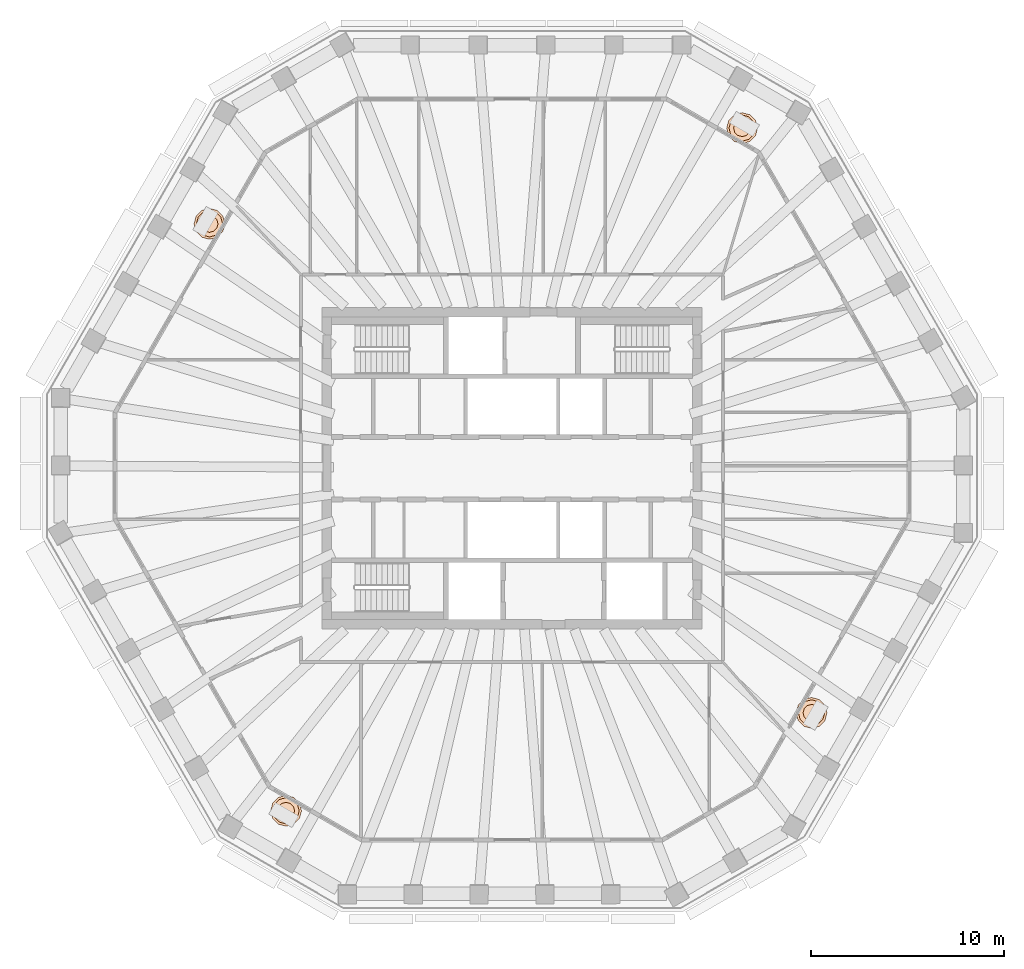
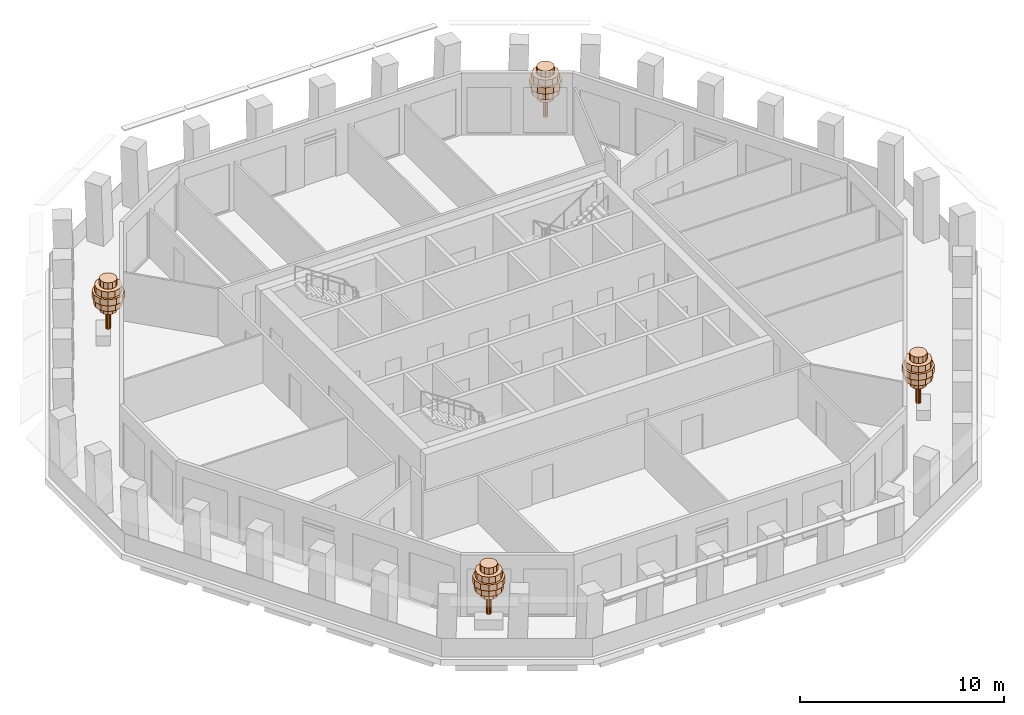
# One storey, part 12 of 12: 4 geographic elements.
"""IFC4 building model written with IfcOpenShell, lengths in metres."""

from ifc_helpers import new_model, si_unit, direction, frame, origin, place, context, subcontext, project, spatial, polyline, outline, extrude, material, type_object, element, save


model = new_model("IFC4")

# Units and contexts
model_context = context("Model", 3, precision=1e-05, world=origin(), true_north=direction((0.0, 1.0)))
body_context = subcontext(model_context, "Body", "Model", "MODEL_VIEW")
ifc_project = project(units=[si_unit("LENGTHUNIT", "METRE"), si_unit("AREAUNIT", "SQUARE_METRE"), si_unit("VOLUMEUNIT", "CUBIC_METRE"), si_unit("PLANEANGLEUNIT", "RADIAN"), si_unit("MASSUNIT", "GRAM", prefix="KILO")], contexts=[model_context])

# Site, building, storey
site_placement = place(None, origin())
site = spatial("IfcSite", under=ifc_project, at=site_placement, CompositionType="ELEMENT")
building_placement = place(site_placement, origin())
building = spatial("IfcBuilding", under=site, at=building_placement, Name="Frailejon Research Tower", CompositionType="ELEMENT")
storey_placement = place(building_placement, frame((0.0, 0.0, 267.0)))
storey = spatial("IfcBuildingStorey", under=building, at=storey_placement, Name="L58", CompositionType="ELEMENT", Elevation=267.0)

# Geographic elements
ifc_material = material(Name="Foliage, green")
geographic_element_type = type_object("IfcGeographicElementType", Name="Frailejon tree, loggia", PredefinedType="USERDEFINED", material=ifc_material)
geographic_element_1_placement = place(storey_placement, frame((11.935302734375, 17.642333984375, 0.60009765625)))
element("IfcGeographicElement", 1, at=geographic_element_1_placement, inside=storey, type_object=geographic_element_type, Name="Tree L58", ObjectType="TREE", PredefinedType="USERDEFINED", context=body_context, shape_type="SweptSolid", body=[
    extrude(outline(polyline([(0.1298828125, 0.0), (0.112548828125, 0.06494140625), (0.06494140625, 0.112548828125), (0.0, 0.1298828125), (-0.06494140625, 0.112548828125), (-0.112548828125, 0.06494140625), (-0.1298828125, 0.0), (-0.112548828125, -0.06494140625), (-0.06494140625, -0.112548828125), (0.0, -0.1298828125), (0.06494140625, -0.112548828125), (0.112548828125, -0.06494140625), (0.1298828125, 0.0)])), origin(), (0.0, 0.0, 1.0), 2.239990234375),
    extrude(outline(polyline([(0.43994140625, 0.0), (0.381103515625, 0.219970703125), (0.219970703125, 0.381103515625), (0.0, 0.43994140625), (-0.219970703125, 0.381103515625), (-0.381103515625, 0.219970703125), (-0.43994140625, 0.0), (-0.381103515625, -0.219970703125), (-0.219970703125, -0.381103515625), (0.0, -0.43994140625), (0.219970703125, -0.381103515625), (0.381103515625, -0.219970703125), (0.43994140625, 0.0)])), frame((0.0, 0.0, 1.10009765625)), (0.0, 0.0, 1.0), 0.3798828125),
    extrude(outline(polyline([(0.719970703125, 0.0), (0.62353515625, 0.360107421875), (0.360107421875, 0.62353515625), (0.0, 0.719970703125), (-0.360107421875, 0.62353515625), (-0.62353515625, 0.360107421875), (-0.719970703125, 0.0), (-0.62353515625, -0.360107421875), (-0.360107421875, -0.62353515625), (0.0, -0.719970703125), (0.360107421875, -0.62353515625), (0.62353515625, -0.360107421875), (0.719970703125, 0.0)])), frame((0.0, 0.0, 1.47998046875)), (0.0, 0.0, 1.0), 0.3798828125),
    extrude(outline(polyline([(0.800048828125, 0.0), (0.69287109375, 0.39990234375), (0.39990234375, 0.69287109375), (0.0, 0.800048828125), (-0.39990234375, 0.69287109375), (-0.69287109375, 0.39990234375), (-0.800048828125, 0.0), (-0.69287109375, -0.39990234375), (-0.39990234375, -0.69287109375), (0.0, -0.800048828125), (0.39990234375, -0.69287109375), (0.69287109375, -0.39990234375), (0.800048828125, 0.0)])), frame((0.0, 0.0, 1.860107421875)), (0.0, 0.0, 1.0), 0.3798828125),
    extrude(outline(polyline([(0.679931640625, 0.0), (0.5888671875, 0.340087890625), (0.340087890625, 0.5888671875), (0.0, 0.679931640625), (-0.340087890625, 0.5888671875), (-0.5888671875, 0.340087890625), (-0.679931640625, 0.0), (-0.5888671875, -0.340087890625), (-0.340087890625, -0.5888671875), (0.0, -0.679931640625), (0.340087890625, -0.5888671875), (0.5888671875, -0.340087890625), (0.679931640625, 0.0)])), frame((0.0, 0.0, 2.239990234375)), (0.0, 0.0, 1.0), 0.3798828125),
    extrude(outline(polyline([(0.43994140625, 0.0), (0.381103515625, 0.219970703125), (0.219970703125, 0.381103515625), (0.0, 0.43994140625), (-0.219970703125, 0.381103515625), (-0.381103515625, 0.219970703125), (-0.43994140625, 0.0), (-0.381103515625, -0.219970703125), (-0.219970703125, -0.381103515625), (0.0, -0.43994140625), (0.219970703125, -0.381103515625), (0.381103515625, -0.219970703125), (0.43994140625, 0.0)])), frame((0.0, 0.0, 2.6201171875)), (0.0, 0.0, 1.0), 0.3798828125),
])
geographic_element_2_placement = place(storey_placement, frame((-15.689697265625, 12.67626953125, 0.60009765625)))
element("IfcGeographicElement", 2, at=geographic_element_2_placement, inside=storey, type_object=geographic_element_type, Name="Tree L58", ObjectType="TREE", PredefinedType="USERDEFINED", context=body_context, shape_type="SweptSolid", body=[
    extrude(outline(polyline([(0.1298828125, 0.0), (0.112548828125, 0.06494140625), (0.06494140625, 0.112548828125), (0.0, 0.1298828125), (-0.06494140625, 0.112548828125), (-0.112548828125, 0.06494140625), (-0.1298828125, 0.0), (-0.112548828125, -0.06494140625), (-0.06494140625, -0.112548828125), (0.0, -0.1298828125), (0.06494140625, -0.112548828125), (0.112548828125, -0.06494140625), (0.1298828125, 0.0)])), origin(), (0.0, 0.0, 1.0), 2.239990234375),
    extrude(outline(polyline([(0.43994140625, 0.0), (0.381103515625, 0.219970703125), (0.219970703125, 0.381103515625), (0.0, 0.43994140625), (-0.219970703125, 0.381103515625), (-0.381103515625, 0.219970703125), (-0.43994140625, 0.0), (-0.381103515625, -0.219970703125), (-0.219970703125, -0.381103515625), (0.0, -0.43994140625), (0.219970703125, -0.381103515625), (0.381103515625, -0.219970703125), (0.43994140625, 0.0)])), frame((0.0, 0.0, 1.10009765625)), (0.0, 0.0, 1.0), 0.3798828125),
    extrude(outline(polyline([(0.719970703125, 0.0), (0.62353515625, 0.360107421875), (0.360107421875, 0.62353515625), (0.0, 0.719970703125), (-0.360107421875, 0.62353515625), (-0.62353515625, 0.360107421875), (-0.719970703125, 0.0), (-0.62353515625, -0.360107421875), (-0.360107421875, -0.62353515625), (0.0, -0.719970703125), (0.360107421875, -0.62353515625), (0.62353515625, -0.360107421875), (0.719970703125, 0.0)])), frame((0.0, 0.0, 1.47998046875)), (0.0, 0.0, 1.0), 0.3798828125),
    extrude(outline(polyline([(0.800048828125, 0.0), (0.69287109375, 0.39990234375), (0.39990234375, 0.69287109375), (0.0, 0.800048828125), (-0.39990234375, 0.69287109375), (-0.69287109375, 0.39990234375), (-0.800048828125, 0.0), (-0.69287109375, -0.39990234375), (-0.39990234375, -0.69287109375), (0.0, -0.800048828125), (0.39990234375, -0.69287109375), (0.69287109375, -0.39990234375), (0.800048828125, 0.0)])), frame((0.0, 0.0, 1.860107421875)), (0.0, 0.0, 1.0), 0.3798828125),
    extrude(outline(polyline([(0.679931640625, 0.0), (0.5888671875, 0.340087890625), (0.340087890625, 0.5888671875), (0.0, 0.679931640625), (-0.340087890625, 0.5888671875), (-0.5888671875, 0.340087890625), (-0.679931640625, 0.0), (-0.5888671875, -0.340087890625), (-0.340087890625, -0.5888671875), (0.0, -0.679931640625), (0.340087890625, -0.5888671875), (0.5888671875, -0.340087890625), (0.679931640625, 0.0)])), frame((0.0, 0.0, 2.239990234375)), (0.0, 0.0, 1.0), 0.3798828125),
    extrude(outline(polyline([(0.43994140625, 0.0), (0.381103515625, 0.219970703125), (0.219970703125, 0.381103515625), (0.0, 0.43994140625), (-0.219970703125, 0.381103515625), (-0.381103515625, 0.219970703125), (-0.43994140625, 0.0), (-0.381103515625, -0.219970703125), (-0.219970703125, -0.381103515625), (0.0, -0.43994140625), (0.219970703125, -0.381103515625), (0.381103515625, -0.219970703125), (0.43994140625, 0.0)])), frame((0.0, 0.0, 2.6201171875)), (0.0, 0.0, 1.0), 0.3798828125),
])
geographic_element_3_placement = place(storey_placement, frame((-11.717529296875, -17.76806640625, 0.60009765625)))
element("IfcGeographicElement", 3, at=geographic_element_3_placement, inside=storey, type_object=geographic_element_type, Name="Tree L58", ObjectType="TREE", PredefinedType="USERDEFINED", context=body_context, shape_type="SweptSolid", body=[
    extrude(outline(polyline([(0.1298828125, 0.0), (0.112548828125, 0.06494140625), (0.06494140625, 0.112548828125), (0.0, 0.1298828125), (-0.06494140625, 0.112548828125), (-0.112548828125, 0.06494140625), (-0.1298828125, 0.0), (-0.112548828125, -0.06494140625), (-0.06494140625, -0.112548828125), (0.0, -0.1298828125), (0.06494140625, -0.112548828125), (0.112548828125, -0.06494140625), (0.1298828125, 0.0)])), origin(), (0.0, 0.0, 1.0), 2.239990234375),
    extrude(outline(polyline([(0.43994140625, 0.0), (0.381103515625, 0.219970703125), (0.219970703125, 0.381103515625), (0.0, 0.43994140625), (-0.219970703125, 0.381103515625), (-0.381103515625, 0.219970703125), (-0.43994140625, 0.0), (-0.381103515625, -0.219970703125), (-0.219970703125, -0.381103515625), (0.0, -0.43994140625), (0.219970703125, -0.381103515625), (0.381103515625, -0.219970703125), (0.43994140625, 0.0)])), frame((0.0, 0.0, 1.10009765625)), (0.0, 0.0, 1.0), 0.3798828125),
    extrude(outline(polyline([(0.719970703125, 0.0), (0.62353515625, 0.360107421875), (0.360107421875, 0.62353515625), (0.0, 0.719970703125), (-0.360107421875, 0.62353515625), (-0.62353515625, 0.360107421875), (-0.719970703125, 0.0), (-0.62353515625, -0.360107421875), (-0.360107421875, -0.62353515625), (0.0, -0.719970703125), (0.360107421875, -0.62353515625), (0.62353515625, -0.360107421875), (0.719970703125, 0.0)])), frame((0.0, 0.0, 1.47998046875)), (0.0, 0.0, 1.0), 0.3798828125),
    extrude(outline(polyline([(0.800048828125, 0.0), (0.69287109375, 0.39990234375), (0.39990234375, 0.69287109375), (0.0, 0.800048828125), (-0.39990234375, 0.69287109375), (-0.69287109375, 0.39990234375), (-0.800048828125, 0.0), (-0.69287109375, -0.39990234375), (-0.39990234375, -0.69287109375), (0.0, -0.800048828125), (0.39990234375, -0.69287109375), (0.69287109375, -0.39990234375), (0.800048828125, 0.0)])), frame((0.0, 0.0, 1.860107421875)), (0.0, 0.0, 1.0), 0.3798828125),
    extrude(outline(polyline([(0.679931640625, 0.0), (0.5888671875, 0.340087890625), (0.340087890625, 0.5888671875), (0.0, 0.679931640625), (-0.340087890625, 0.5888671875), (-0.5888671875, 0.340087890625), (-0.679931640625, 0.0), (-0.5888671875, -0.340087890625), (-0.340087890625, -0.5888671875), (0.0, -0.679931640625), (0.340087890625, -0.5888671875), (0.5888671875, -0.340087890625), (0.679931640625, 0.0)])), frame((0.0, 0.0, 2.239990234375)), (0.0, 0.0, 1.0), 0.3798828125),
    extrude(outline(polyline([(0.43994140625, 0.0), (0.381103515625, 0.219970703125), (0.219970703125, 0.381103515625), (0.0, 0.43994140625), (-0.219970703125, 0.381103515625), (-0.381103515625, 0.219970703125), (-0.43994140625, 0.0), (-0.381103515625, -0.219970703125), (-0.219970703125, -0.381103515625), (0.0, -0.43994140625), (0.219970703125, -0.381103515625), (0.381103515625, -0.219970703125), (0.43994140625, 0.0)])), frame((0.0, 0.0, 2.6201171875)), (0.0, 0.0, 1.0), 0.3798828125),
])
geographic_element_4_placement = place(storey_placement, frame((15.537109375, -12.68896484375, 0.60009765625)))
element("IfcGeographicElement", 4, at=geographic_element_4_placement, inside=storey, type_object=geographic_element_type, Name="Tree L58", ObjectType="TREE", PredefinedType="USERDEFINED", context=body_context, shape_type="SweptSolid", body=[
    extrude(outline(polyline([(0.1298828125, 0.0), (0.112548828125, 0.06494140625), (0.06494140625, 0.112548828125), (0.0, 0.1298828125), (-0.06494140625, 0.112548828125), (-0.112548828125, 0.06494140625), (-0.1298828125, 0.0), (-0.112548828125, -0.06494140625), (-0.06494140625, -0.112548828125), (0.0, -0.1298828125), (0.06494140625, -0.112548828125), (0.112548828125, -0.06494140625), (0.1298828125, 0.0)])), origin(), (0.0, 0.0, 1.0), 2.239990234375),
    extrude(outline(polyline([(0.43994140625, 0.0), (0.381103515625, 0.219970703125), (0.219970703125, 0.381103515625), (0.0, 0.43994140625), (-0.219970703125, 0.381103515625), (-0.381103515625, 0.219970703125), (-0.43994140625, 0.0), (-0.381103515625, -0.219970703125), (-0.219970703125, -0.381103515625), (0.0, -0.43994140625), (0.219970703125, -0.381103515625), (0.381103515625, -0.219970703125), (0.43994140625, 0.0)])), frame((0.0, 0.0, 1.10009765625)), (0.0, 0.0, 1.0), 0.3798828125),
    extrude(outline(polyline([(0.719970703125, 0.0), (0.62353515625, 0.360107421875), (0.360107421875, 0.62353515625), (0.0, 0.719970703125), (-0.360107421875, 0.62353515625), (-0.62353515625, 0.360107421875), (-0.719970703125, 0.0), (-0.62353515625, -0.360107421875), (-0.360107421875, -0.62353515625), (0.0, -0.719970703125), (0.360107421875, -0.62353515625), (0.62353515625, -0.360107421875), (0.719970703125, 0.0)])), frame((0.0, 0.0, 1.47998046875)), (0.0, 0.0, 1.0), 0.3798828125),
    extrude(outline(polyline([(0.800048828125, 0.0), (0.69287109375, 0.39990234375), (0.39990234375, 0.69287109375), (0.0, 0.800048828125), (-0.39990234375, 0.69287109375), (-0.69287109375, 0.39990234375), (-0.800048828125, 0.0), (-0.69287109375, -0.39990234375), (-0.39990234375, -0.69287109375), (0.0, -0.800048828125), (0.39990234375, -0.69287109375), (0.69287109375, -0.39990234375), (0.800048828125, 0.0)])), frame((0.0, 0.0, 1.860107421875)), (0.0, 0.0, 1.0), 0.3798828125),
    extrude(outline(polyline([(0.679931640625, 0.0), (0.5888671875, 0.340087890625), (0.340087890625, 0.5888671875), (0.0, 0.679931640625), (-0.340087890625, 0.5888671875), (-0.5888671875, 0.340087890625), (-0.679931640625, 0.0), (-0.5888671875, -0.340087890625), (-0.340087890625, -0.5888671875), (0.0, -0.679931640625), (0.340087890625, -0.5888671875), (0.5888671875, -0.340087890625), (0.679931640625, 0.0)])), frame((0.0, 0.0, 2.239990234375)), (0.0, 0.0, 1.0), 0.3798828125),
    extrude(outline(polyline([(0.43994140625, 0.0), (0.381103515625, 0.219970703125), (0.219970703125, 0.381103515625), (0.0, 0.43994140625), (-0.219970703125, 0.381103515625), (-0.381103515625, 0.219970703125), (-0.43994140625, 0.0), (-0.381103515625, -0.219970703125), (-0.219970703125, -0.381103515625), (0.0, -0.43994140625), (0.219970703125, -0.381103515625), (0.381103515625, -0.219970703125), (0.43994140625, 0.0)])), frame((0.0, 0.0, 2.6201171875)), (0.0, 0.0, 1.0), 0.3798828125),
])

save(model, "model.ifc")
